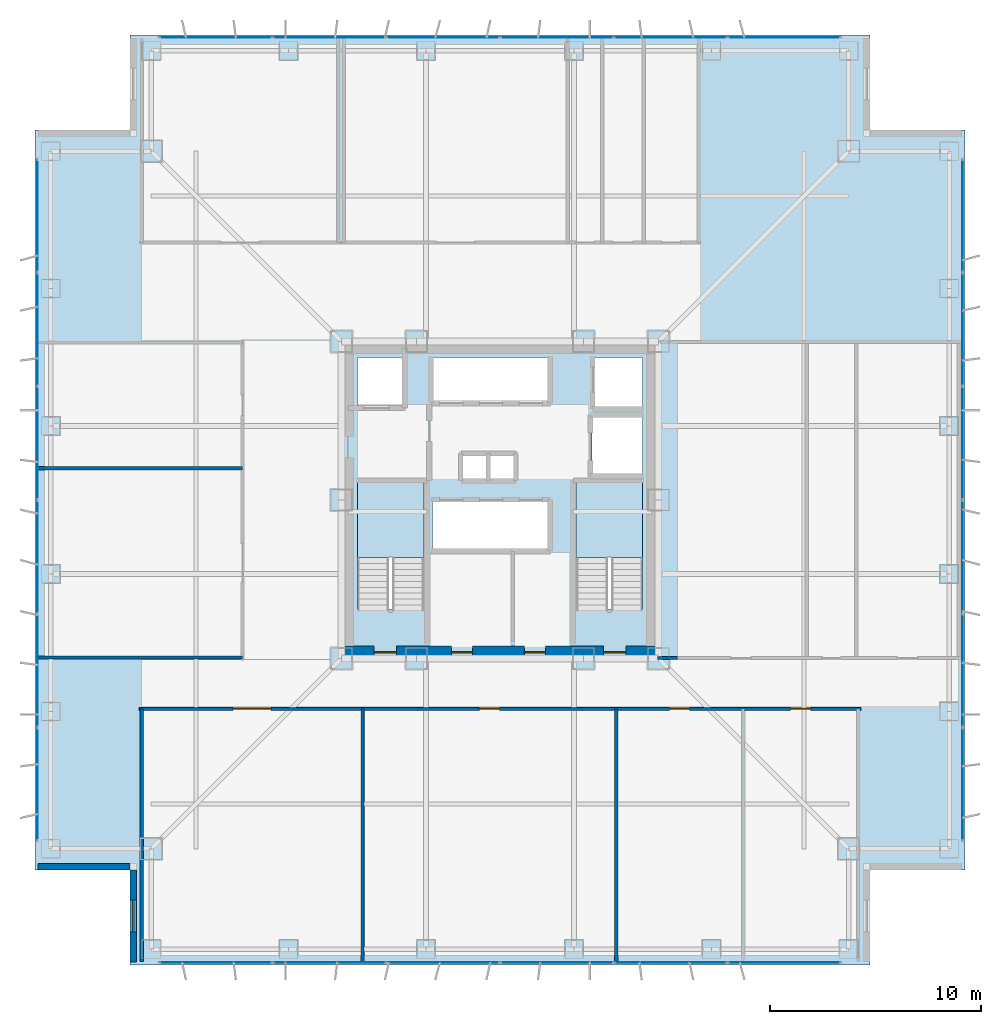
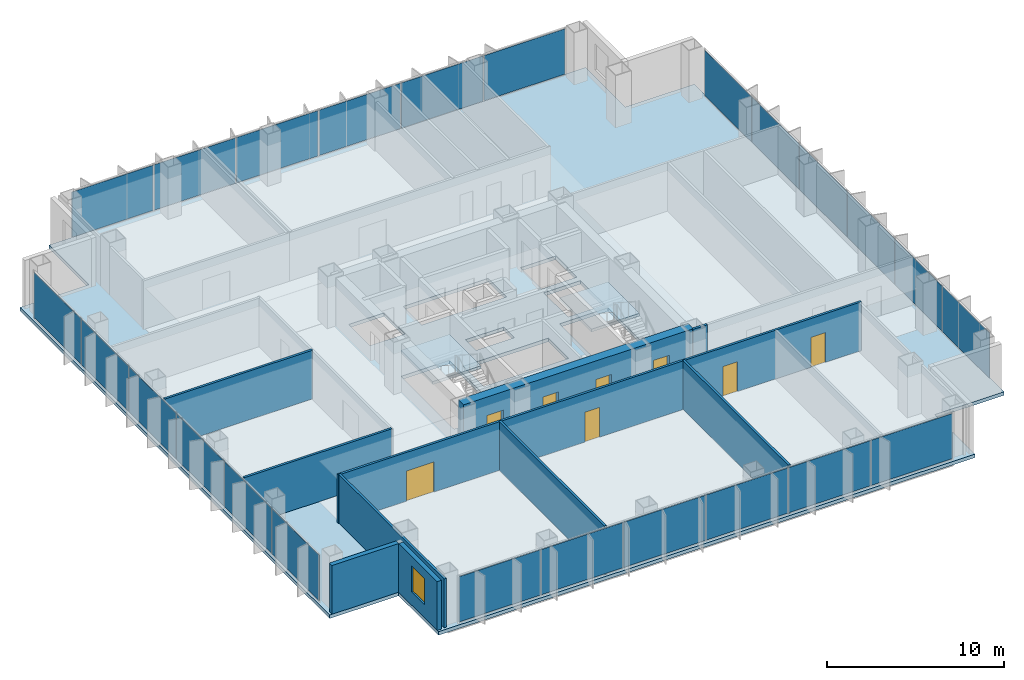
# One storey, part 12 of 17: 24 plates, 10 walls, 8 doors, 3 slabs, 1 window, 9 openings, 6 elements without a shape of their own.
"""IFC4 building model written with IfcOpenShell, lengths in metres."""

from ifc_helpers import new_model, si_unit, direction, frame, frame_2d, origin, origin_2d, place, context, subcontext, project, spatial, polyline, rectangle, outline, extrude, material, layer, layer_set, type_object, element, fill, aggregate, save


model = new_model("IFC4")

# Units and contexts
model_context = context("Model", 3, precision=1e-05, world=origin(), true_north=direction((0.0, 1.0)))
body_context = subcontext(model_context, "Body", "Model", "MODEL_VIEW")
ifc_project = project(units=[si_unit("LENGTHUNIT", "METRE"), si_unit("AREAUNIT", "SQUARE_METRE"), si_unit("VOLUMEUNIT", "CUBIC_METRE"), si_unit("PLANEANGLEUNIT", "RADIAN"), si_unit("MASSUNIT", "GRAM", prefix="KILO")], contexts=[model_context])

# Site, building, storey
site_placement = place(None, origin())
site = spatial("IfcSite", under=ifc_project, at=site_placement, CompositionType="ELEMENT")
building_placement = place(site_placement, origin())
building = spatial("IfcBuilding", under=site, at=building_placement, Name="Trevonay Congress Spire", CompositionType="ELEMENT")
storey_placement = place(building_placement, frame((0.0, 0.0, 126.39990234375)))
storey = spatial("IfcBuildingStorey", under=building, at=storey_placement, Name="L32", CompositionType="ELEMENT", Elevation=126.39990234375)

# Curtain wall, plates
ifc_material_1 = material(Name="Pale Anodised Aluminium EN AW-6063-T6", Category="aluminium")
ifc_layer_1 = layer(ifc_material_1, 0.175048828125, Name="Pale Anodised Aluminium EN AW-6063-T6")
ifc_layer_set_1 = layer_set([ifc_layer_1], Name="Pale Anodised Aluminium EN AW-6063-T6")
curtain_wall_type = type_object("IfcCurtainWallType", Name="CW-SYS03-CONGRESS-PALE-METAL", PredefinedType="NOTDEFINED", material=ifc_layer_set_1)
curtain_wall_1_placement = place(storey_placement, origin())
curtain_wall_1 = element("IfcCurtainWall", 1, at=curtain_wall_1_placement, inside=storey, type_object=curtain_wall_type, Name="L32 S unitised curtain wall", PredefinedType="NOTDEFINED")
ifc_material_2 = material(Name="Insulated Low-E Vision Glass IGU", Category="glass")
ifc_layer_2 = layer(ifc_material_2, 0.035888671875, Name="Insulated Low-E Vision Glass IGU")
ifc_layer_set_2 = layer_set([ifc_layer_2], Name="Insulated Low-E Vision Glass IGU")
plate_type = type_object("IfcPlateType", Name="CW-PANEL-IGU36-SILVER", PredefinedType="CURTAIN_PANEL", material=ifc_layer_set_2)
plate_1_placement = place(storey_placement, frame((-13.443359375, -21.8798828125, 0.1201171875), z_axis=(0.0, 0.0, 1.0), x_axis=(1.0, 0.0, 0.0)))
plate_1 = element("IfcPlate", 2, at=plate_1_placement, type_object=plate_type, Name="CW03 panel 1.1", PredefinedType="CURTAIN_PANEL", context=body_context, shape_type="SweptSolid", body=[
    extrude(rectangle(XDim=5.293212890625, YDim=0.035888671875, at=origin_2d()), origin(), (0.0, 0.0, 1.0), 3.1201171875),
])
plate_2_placement = place(storey_placement, frame((-8.074951171875, -21.8798828125, 0.1201171875), z_axis=(0.0, 0.0, 1.0), x_axis=(1.0, 0.0, 0.0)))
plate_2 = element("IfcPlate", 3, at=plate_2_placement, type_object=plate_type, Name="CW03 panel 2.1", PredefinedType="CURTAIN_PANEL", context=body_context, shape_type="SweptSolid", body=[
    extrude(rectangle(XDim=5.3232421875, YDim=0.035888671875, at=origin_2d()), origin(), (0.0, 0.0, 1.0), 3.1201171875),
])
plate_3_placement = place(storey_placement, frame((-2.691650390625, -21.8798828125, 0.1201171875), z_axis=(0.0, 0.0, 1.0), x_axis=(1.0, 0.0, 0.0)))
plate_3 = element("IfcPlate", 4, at=plate_3_placement, type_object=plate_type, Name="CW03 panel 3.1", PredefinedType="CURTAIN_PANEL", context=body_context, shape_type="SweptSolid", body=[
    extrude(rectangle(XDim=5.3232421875, YDim=0.035888671875, at=origin_2d()), origin(), (0.0, 0.0, 1.0), 3.1201171875),
])
plate_4_placement = place(storey_placement, frame((2.691650390625, -21.8798828125, 0.1201171875), z_axis=(0.0, 0.0, 1.0), x_axis=(1.0, 0.0, 0.0)))
plate_4 = element("IfcPlate", 5, at=plate_4_placement, type_object=plate_type, Name="CW03 panel 4.1", PredefinedType="CURTAIN_PANEL", context=body_context, shape_type="SweptSolid", body=[
    extrude(rectangle(XDim=5.3232421875, YDim=0.035888671875, at=origin_2d()), origin(), (0.0, 0.0, 1.0), 3.1201171875),
])
plate_5_placement = place(storey_placement, frame((8.074951171875, -21.8798828125, 0.1201171875), z_axis=(0.0, 0.0, 1.0), x_axis=(1.0, 0.0, 0.0)))
plate_5 = element("IfcPlate", 6, at=plate_5_placement, type_object=plate_type, Name="CW03 panel 5.1", PredefinedType="CURTAIN_PANEL", context=body_context, shape_type="SweptSolid", body=[
    extrude(rectangle(XDim=5.3232421875, YDim=0.035888671875, at=origin_2d()), origin(), (0.0, 0.0, 1.0), 3.1201171875),
])
plate_6_placement = place(storey_placement, frame((13.443359375, -21.8798828125, 0.1201171875), z_axis=(0.0, 0.0, 1.0), x_axis=(1.0, 0.0, 0.0)))
plate_6 = element("IfcPlate", 7, at=plate_6_placement, type_object=plate_type, Name="CW03 panel 6.1", PredefinedType="CURTAIN_PANEL", context=body_context, shape_type="SweptSolid", body=[
    extrude(rectangle(XDim=5.293212890625, YDim=0.035888671875, at=origin_2d()), origin(), (0.0, 0.0, 1.0), 3.1201171875),
])
aggregate(curtain_wall_1, [plate_1, plate_2, plate_3, plate_4, plate_5, plate_6])

curtain_wall_2_placement = place(storey_placement, origin())
curtain_wall_2 = element("IfcCurtainWall", 8, at=curtain_wall_2_placement, inside=storey, type_object=curtain_wall_type, Name="L32 N unitised curtain wall", PredefinedType="NOTDEFINED")
plate_7_placement = place(storey_placement, frame((-13.443359375, 21.8798828125, 0.1201171875), z_axis=(0.0, 0.0, 1.0), x_axis=(1.0, 0.0, 0.0)))
plate_7 = element("IfcPlate", 9, at=plate_7_placement, type_object=plate_type, Name="CW03 panel 1.1", PredefinedType="CURTAIN_PANEL", context=body_context, shape_type="SweptSolid", body=[
    extrude(rectangle(XDim=5.293212890625, YDim=0.035888671875, at=origin_2d()), origin(), (0.0, 0.0, 1.0), 3.1201171875),
])
plate_8_placement = place(storey_placement, frame((-8.074951171875, 21.8798828125, 0.1201171875), z_axis=(0.0, 0.0, 1.0), x_axis=(1.0, 0.0, 0.0)))
plate_8 = element("IfcPlate", 10, at=plate_8_placement, type_object=plate_type, Name="CW03 panel 2.1", PredefinedType="CURTAIN_PANEL", context=body_context, shape_type="SweptSolid", body=[
    extrude(rectangle(XDim=5.3232421875, YDim=0.035888671875, at=origin_2d()), origin(), (0.0, 0.0, 1.0), 3.1201171875),
])
plate_9_placement = place(storey_placement, frame((-2.691650390625, 21.8798828125, 0.1201171875), z_axis=(0.0, 0.0, 1.0), x_axis=(1.0, 0.0, 0.0)))
plate_9 = element("IfcPlate", 11, at=plate_9_placement, type_object=plate_type, Name="CW03 panel 3.1", PredefinedType="CURTAIN_PANEL", context=body_context, shape_type="SweptSolid", body=[
    extrude(rectangle(XDim=5.3232421875, YDim=0.035888671875, at=origin_2d()), origin(), (0.0, 0.0, 1.0), 3.1201171875),
])
plate_10_placement = place(storey_placement, frame((2.691650390625, 21.8798828125, 0.1201171875), z_axis=(0.0, 0.0, 1.0), x_axis=(1.0, 0.0, 0.0)))
plate_10 = element("IfcPlate", 12, at=plate_10_placement, type_object=plate_type, Name="CW03 panel 4.1", PredefinedType="CURTAIN_PANEL", context=body_context, shape_type="SweptSolid", body=[
    extrude(rectangle(XDim=5.3232421875, YDim=0.035888671875, at=origin_2d()), origin(), (0.0, 0.0, 1.0), 3.1201171875),
])
plate_11_placement = place(storey_placement, frame((8.074951171875, 21.8798828125, 0.1201171875), z_axis=(0.0, 0.0, 1.0), x_axis=(1.0, 0.0, 0.0)))
plate_11 = element("IfcPlate", 13, at=plate_11_placement, type_object=plate_type, Name="CW03 panel 5.1", PredefinedType="CURTAIN_PANEL", context=body_context, shape_type="SweptSolid", body=[
    extrude(rectangle(XDim=5.3232421875, YDim=0.035888671875, at=origin_2d()), origin(), (0.0, 0.0, 1.0), 3.1201171875),
])
plate_12_placement = place(storey_placement, frame((13.443359375, 21.8798828125, 0.1201171875), z_axis=(0.0, 0.0, 1.0), x_axis=(1.0, 0.0, 0.0)))
plate_12 = element("IfcPlate", 14, at=plate_12_placement, type_object=plate_type, Name="CW03 panel 6.1", PredefinedType="CURTAIN_PANEL", context=body_context, shape_type="SweptSolid", body=[
    extrude(rectangle(XDim=5.293212890625, YDim=0.035888671875, at=origin_2d()), origin(), (0.0, 0.0, 1.0), 3.1201171875),
])
aggregate(curtain_wall_2, [plate_7, plate_8, plate_9, plate_10, plate_11, plate_12])

curtain_wall_3_placement = place(storey_placement, origin())
curtain_wall_3 = element("IfcCurtainWall", 15, at=curtain_wall_3_placement, inside=storey, type_object=curtain_wall_type, Name="L32 W unitised curtain wall", PredefinedType="NOTDEFINED")
plate_13_placement = place(storey_placement, frame((-21.8798828125, -13.443359375, 0.1201171875), z_axis=(0.0, 0.0, 1.0), x_axis=(0.0, 1.0, 0.0)))
plate_13 = element("IfcPlate", 16, at=plate_13_placement, type_object=plate_type, Name="CW03 panel 1.1", PredefinedType="CURTAIN_PANEL", context=body_context, shape_type="SweptSolid", body=[
    extrude(rectangle(XDim=5.293212890625, YDim=0.035888671875, at=origin_2d()), origin(), (0.0, 0.0, 1.0), 3.1201171875),
])
plate_14_placement = place(storey_placement, frame((-21.8798828125, -8.074951171875, 0.1201171875), z_axis=(0.0, 0.0, 1.0), x_axis=(0.0, 1.0, 0.0)))
plate_14 = element("IfcPlate", 17, at=plate_14_placement, type_object=plate_type, Name="CW03 panel 2.1", PredefinedType="CURTAIN_PANEL", context=body_context, shape_type="SweptSolid", body=[
    extrude(rectangle(XDim=5.3232421875, YDim=0.035888671875, at=origin_2d()), origin(), (0.0, 0.0, 1.0), 3.1201171875),
])
plate_15_placement = place(storey_placement, frame((-21.8798828125, -2.691650390625, 0.1201171875), z_axis=(0.0, 0.0, 1.0), x_axis=(0.0, 1.0, 0.0)))
plate_15 = element("IfcPlate", 18, at=plate_15_placement, type_object=plate_type, Name="CW03 panel 3.1", PredefinedType="CURTAIN_PANEL", context=body_context, shape_type="SweptSolid", body=[
    extrude(rectangle(XDim=5.3232421875, YDim=0.035888671875, at=origin_2d()), origin(), (0.0, 0.0, 1.0), 3.1201171875),
])
plate_16_placement = place(storey_placement, frame((-21.8798828125, 2.691650390625, 0.1201171875), z_axis=(0.0, 0.0, 1.0), x_axis=(0.0, 1.0, 0.0)))
plate_16 = element("IfcPlate", 19, at=plate_16_placement, type_object=plate_type, Name="CW03 panel 4.1", PredefinedType="CURTAIN_PANEL", context=body_context, shape_type="SweptSolid", body=[
    extrude(rectangle(XDim=5.3232421875, YDim=0.035888671875, at=origin_2d()), origin(), (0.0, 0.0, 1.0), 3.1201171875),
])
plate_17_placement = place(storey_placement, frame((-21.8798828125, 8.074951171875, 0.1201171875), z_axis=(0.0, 0.0, 1.0), x_axis=(0.0, 1.0, 0.0)))
plate_17 = element("IfcPlate", 20, at=plate_17_placement, type_object=plate_type, Name="CW03 panel 5.1", PredefinedType="CURTAIN_PANEL", context=body_context, shape_type="SweptSolid", body=[
    extrude(rectangle(XDim=5.3232421875, YDim=0.035888671875, at=origin_2d()), origin(), (0.0, 0.0, 1.0), 3.1201171875),
])
plate_18_placement = place(storey_placement, frame((-21.8798828125, 13.443359375, 0.1201171875), z_axis=(0.0, 0.0, 1.0), x_axis=(0.0, 1.0, 0.0)))
plate_18 = element("IfcPlate", 21, at=plate_18_placement, type_object=plate_type, Name="CW03 panel 6.1", PredefinedType="CURTAIN_PANEL", context=body_context, shape_type="SweptSolid", body=[
    extrude(rectangle(XDim=5.293212890625, YDim=0.035888671875, at=origin_2d()), origin(), (0.0, 0.0, 1.0), 3.1201171875),
])
aggregate(curtain_wall_3, [plate_13, plate_14, plate_15, plate_16, plate_17, plate_18])

curtain_wall_4_placement = place(storey_placement, origin())
curtain_wall_4 = element("IfcCurtainWall", 22, at=curtain_wall_4_placement, inside=storey, type_object=curtain_wall_type, Name="L32 E unitised curtain wall", PredefinedType="NOTDEFINED")
plate_19_placement = place(storey_placement, frame((21.8798828125, -13.443359375, 0.1201171875), z_axis=(0.0, 0.0, 1.0), x_axis=(0.0, 1.0, 0.0)))
plate_19 = element("IfcPlate", 23, at=plate_19_placement, type_object=plate_type, Name="CW03 panel 1.1", PredefinedType="CURTAIN_PANEL", context=body_context, shape_type="SweptSolid", body=[
    extrude(rectangle(XDim=5.293212890625, YDim=0.035888671875, at=origin_2d()), origin(), (0.0, 0.0, 1.0), 3.1201171875),
])
plate_20_placement = place(storey_placement, frame((21.8798828125, -8.074951171875, 0.1201171875), z_axis=(0.0, 0.0, 1.0), x_axis=(0.0, 1.0, 0.0)))
plate_20 = element("IfcPlate", 24, at=plate_20_placement, type_object=plate_type, Name="CW03 panel 2.1", PredefinedType="CURTAIN_PANEL", context=body_context, shape_type="SweptSolid", body=[
    extrude(rectangle(XDim=5.3232421875, YDim=0.035888671875, at=origin_2d()), origin(), (0.0, 0.0, 1.0), 3.1201171875),
])
plate_21_placement = place(storey_placement, frame((21.8798828125, -2.691650390625, 0.1201171875), z_axis=(0.0, 0.0, 1.0), x_axis=(0.0, 1.0, 0.0)))
plate_21 = element("IfcPlate", 25, at=plate_21_placement, type_object=plate_type, Name="CW03 panel 3.1", PredefinedType="CURTAIN_PANEL", context=body_context, shape_type="SweptSolid", body=[
    extrude(rectangle(XDim=5.3232421875, YDim=0.035888671875, at=origin_2d()), origin(), (0.0, 0.0, 1.0), 3.1201171875),
])
plate_22_placement = place(storey_placement, frame((21.8798828125, 2.691650390625, 0.1201171875), z_axis=(0.0, 0.0, 1.0), x_axis=(0.0, 1.0, 0.0)))
plate_22 = element("IfcPlate", 26, at=plate_22_placement, type_object=plate_type, Name="CW03 panel 4.1", PredefinedType="CURTAIN_PANEL", context=body_context, shape_type="SweptSolid", body=[
    extrude(rectangle(XDim=5.3232421875, YDim=0.035888671875, at=origin_2d()), origin(), (0.0, 0.0, 1.0), 3.1201171875),
])
plate_23_placement = place(storey_placement, frame((21.8798828125, 8.074951171875, 0.1201171875), z_axis=(0.0, 0.0, 1.0), x_axis=(0.0, 1.0, 0.0)))
plate_23 = element("IfcPlate", 27, at=plate_23_placement, type_object=plate_type, Name="CW03 panel 5.1", PredefinedType="CURTAIN_PANEL", context=body_context, shape_type="SweptSolid", body=[
    extrude(rectangle(XDim=5.3232421875, YDim=0.035888671875, at=origin_2d()), origin(), (0.0, 0.0, 1.0), 3.1201171875),
])
plate_24_placement = place(storey_placement, frame((21.8798828125, 13.443359375, 0.1201171875), z_axis=(0.0, 0.0, 1.0), x_axis=(0.0, 1.0, 0.0)))
plate_24 = element("IfcPlate", 28, at=plate_24_placement, type_object=plate_type, Name="CW03 panel 6.1", PredefinedType="CURTAIN_PANEL", context=body_context, shape_type="SweptSolid", body=[
    extrude(rectangle(XDim=5.293212890625, YDim=0.035888671875, at=origin_2d()), origin(), (0.0, 0.0, 1.0), 3.1201171875),
])
aggregate(curtain_wall_4, [plate_19, plate_20, plate_21, plate_22, plate_23, plate_24])

# Stair, slab
ifc_material_3 = material(Name="Concrete C40/50", Category="concrete")
stair_type_1 = type_object("IfcStairType", Name="STR-ST-1", PredefinedType="HALF_TURN_STAIR", material=ifc_material_3)
stair_1_placement = place(storey_placement, origin())
stair_1 = element("IfcStair", 29, at=stair_1_placement, inside=storey, type_object=stair_type_1, Name="L32 Protected Exit Stair ST-1", PredefinedType="HALF_TURN_STAIR")
ifc_layer_3 = layer(ifc_material_3, 0.199951171875, Name="Concrete C40/50")
ifc_layer_set_3 = layer_set([ifc_layer_3], Name="Concrete C40/50")
slab_type_1 = type_object("IfcSlabType", Name="SLB-STAIR-LAND-200", PredefinedType="LANDING", material=ifc_layer_set_3)
slab_1_placement = place(storey_placement, frame((0.0, 0.0, 1.60009765625)))
slab_1 = element("IfcSlab", 30, at=slab_1_placement, type_object=slab_type_1, Name="ST-1 landing 1", PredefinedType="LANDING", context=body_context, shape_type="SweptSolid", body=[
    extrude(outline(polyline([(-3.60009765625, -2.72998046875), (-3.60009765625, 0.85009765625), (-6.75, 0.85009765625), (-6.75, -2.72998046875), (-3.60009765625, -2.72998046875)])), origin(), (0.0, 0.0, 1.0), 0.199951171875),
])
aggregate(stair_1, [slab_1])

stair_type_2 = type_object("IfcStairType", Name="STR-ST-2", PredefinedType="HALF_TURN_STAIR", material=ifc_material_3)
stair_2_placement = place(storey_placement, origin())
stair_2 = element("IfcStair", 31, at=stair_2_placement, inside=storey, type_object=stair_type_2, Name="L32 Protected Exit Stair ST-2", PredefinedType="HALF_TURN_STAIR")
slab_2_placement = place(storey_placement, frame((0.0, 0.0, 1.60009765625)))
slab_2 = element("IfcSlab", 32, at=slab_2_placement, type_object=slab_type_1, Name="ST-2 landing 1", PredefinedType="LANDING", context=body_context, shape_type="SweptSolid", body=[
    extrude(outline(polyline([(6.75, -2.72998046875), (6.75, 0.85009765625), (3.60009765625, 0.85009765625), (3.60009765625, -2.72998046875), (6.75, -2.72998046875)])), origin(), (0.0, 0.0, 1.0), 0.199951171875),
])
aggregate(stair_2, [slab_2])

# Slab
ifc_layer_4 = layer(ifc_material_3, 0.239990234375, Name="Concrete C40/50")
ifc_layer_set_4 = layer_set([ifc_layer_4], Name="Concrete C40/50")
slab_type_2 = type_object("IfcSlabType", Name="SLB-TOW2-240", PredefinedType="FLOOR", material=ifc_layer_set_4)
slab_3_placement = place(storey_placement, frame((0.0, 0.0, -0.239990234375)))
element("IfcSlab", 33, at=slab_3_placement, inside=storey, type_object=slab_type_2, Name="L32 structural floor slab", PredefinedType="FLOOR", context=body_context, shape_type="SweptSolid", body=[
    extrude(outline(polyline([(-17.5, -22.0), (17.5, -22.0), (17.5, -17.5), (22.0, -17.5), (22.0, 17.5), (17.5, 17.5), (17.5, 22.0), (-17.5, 22.0), (-17.5, 17.5), (-22.0, 17.5), (-22.0, -17.5), (-17.5, -17.5), (-17.5, -22.0)]), holes=[polyline([(-3.60009765625, -5.14990234375), (-3.60009765625, 0.85009765625), (-6.75, 0.85009765625), (-6.75, -5.14990234375), (-3.60009765625, -5.14990234375)]), polyline([(6.75, -5.14990234375), (6.75, 0.85009765625), (3.60009765625, 0.85009765625), (3.60009765625, -5.14990234375), (6.75, -5.14990234375)]), polyline([(-3.199951171875, -2.35009765625), (2.340087890625, -2.35009765625), (2.340087890625, -0.050048828125), (-3.199951171875, -0.050048828125), (-3.199951171875, -2.35009765625)]), polyline([(-3.199951171875, 4.64990234375), (2.340087890625, 4.64990234375), (2.340087890625, 6.75), (-3.199951171875, 6.75), (-3.199951171875, 4.64990234375)]), polyline([(-6.75, 4.35009765625), (-4.449951171875, 4.35009765625), (-4.449951171875, 6.75), (-6.75, 6.75), (-6.75, 4.35009765625)]), polyline([(4.449951171875, 4.35009765625), (6.75, 4.35009765625), (6.75, 6.75), (4.449951171875, 6.75), (4.449951171875, 4.35009765625)]), polyline([(4.35009765625, 1.199951171875), (6.75, 1.199951171875), (6.75, 3.949951171875), (4.35009765625, 3.949951171875), (4.35009765625, 1.199951171875)]), polyline([(-1.800048828125, 0.949951171875), (0.699951171875, 0.949951171875), (0.699951171875, 2.14990234375), (-1.800048828125, 2.14990234375), (-1.800048828125, 0.949951171875)])]), origin(), (0.0, 0.0, 1.0), 0.239990234375),
])

# Wall, openings, doors
ifc_material_4 = material(Name="Concrete C60/75", Category="concrete")
ifc_layer_5 = layer(ifc_material_4, 0.60009765625, Name="Concrete C60/75")
ifc_layer_set_5 = layer_set([ifc_layer_5], Name="Concrete C60/75")
wall_type_1 = type_object("IfcWallType", Name="WAL-CORE-600", PredefinedType="SHEAR", material=ifc_layer_set_5)
wall_1_placement = place(storey_placement, frame((-7.5, -7.199951171875, 0.0), z_axis=(0.0, 0.0, 1.0), x_axis=(1.0, 0.0, 0.0)))
wall_1 = element("IfcWall", 34, at=wall_1_placement, inside=storey, type_object=wall_type_1, Name="L32 South structural core shear wall", PredefinedType="SHEAR", context=body_context, shape_type="SweptSolid", body=[
    extrude(rectangle(XDim=15.0, YDim=0.60009765625, at=frame_2d((7.5, 0.0))), origin(), (0.0, 0.0, 1.0), 3.360107421875),
])
opening_1_placement = place(wall_1_placement, frame((1.550048828125, 0.0, 0.0)))
opening_1 = element("IfcOpeningElement", 35, at=opening_1_placement, cuts=wall_1, Name="Opening D05", PredefinedType="OPENING", context=body_context, shape_type="SweptSolid", body=[
    extrude(rectangle(XDim=1.050048828125, YDim=2.080078125, at=frame_2d((0.52490234375, 1.0400390625))), frame((0.0, 0.31005859375, 0.0), z_axis=(0.0, -1.0, 0.0), x_axis=(1.0, 0.0, 0.0)), (0.0, 0.0, 1.0), 0.6201171875),
])
opening_2_placement = place(wall_1_placement, frame((12.39990234375, 0.0, 0.0)))
opening_2 = element("IfcOpeningElement", 36, at=opening_2_placement, cuts=wall_1, Name="Opening D05", PredefinedType="OPENING", context=body_context, shape_type="SweptSolid", body=[
    extrude(rectangle(XDim=1.050048828125, YDim=2.080078125, at=frame_2d((0.52490234375, 1.0400390625))), frame((0.0, 0.31005859375, 0.0), z_axis=(0.0, -1.0, 0.0), x_axis=(1.0, 0.0, 0.0)), (0.0, 0.0, 1.0), 0.6201171875),
])
opening_3_placement = place(wall_1_placement, frame((5.199951171875, 0.0, 0.0)))
opening_3 = element("IfcOpeningElement", 37, at=opening_3_placement, cuts=wall_1, Name="Opening D06", PredefinedType="OPENING", context=body_context, shape_type="SweptSolid", body=[
    extrude(rectangle(XDim=1.0, YDim=2.080078125, at=frame_2d((0.5, 1.0400390625))), frame((0.0, 0.31005859375, 0.0), z_axis=(0.0, -1.0, 0.0), x_axis=(1.0, 0.0, 0.0)), (0.0, 0.0, 1.0), 0.6201171875),
])
opening_4_placement = place(wall_1_placement, frame((8.64990234375, 0.0, 0.0)))
opening_4 = element("IfcOpeningElement", 38, at=opening_4_placement, cuts=wall_1, Name="Opening D06", PredefinedType="OPENING", context=body_context, shape_type="SweptSolid", body=[
    extrude(rectangle(XDim=1.0, YDim=2.080078125, at=frame_2d((0.5, 1.0400390625))), frame((0.0, 0.31005859375, 0.0), z_axis=(0.0, -1.0, 0.0), x_axis=(1.0, 0.0, 0.0)), (0.0, 0.0, 1.0), 0.6201171875),
])
ifc_material_5 = material(Name="Steel ASTM A572 Grade 50", Category="steel")
door_type_1 = type_object("IfcDoorType", Name="DOR-FIRE-100", OperationType="NOTDEFINED", PredefinedType="DOOR", material=ifc_material_5)
door_1_placement = place(opening_3_placement, origin())
door_1 = element("IfcDoor", 39, at=door_1_placement, inside=storey, type_object=door_type_1, Name="L32 South Core Room 1 Door", OperationType="SINGLE_SWING_RIGHT", OverallHeight=2.080078125, OverallWidth=1.0, PredefinedType="DOOR", context=body_context, shape_type="SweptSolid", body=[
    extrude(rectangle(XDim=1.0, YDim=2.080078125, at=frame_2d((0.5, 1.0400390625))), frame((0.0, 0.02490234375, 0.0), z_axis=(0.0, -1.0, 0.0), x_axis=(1.0, 0.0, 0.0)), (0.0, 0.0, 1.0), 0.050048828125),
])
fill(opening_3, door_1)
door_2_placement = place(opening_4_placement, origin())
door_2 = element("IfcDoor", 40, at=door_2_placement, inside=storey, type_object=door_type_1, Name="L32 South Core Room 2 Door", OperationType="SINGLE_SWING_LEFT", OverallHeight=2.080078125, OverallWidth=1.0, PredefinedType="DOOR", context=body_context, shape_type="SweptSolid", body=[
    extrude(rectangle(XDim=1.0, YDim=2.080078125, at=frame_2d((0.5, 1.0400390625))), frame((0.0, 0.02490234375, 0.0), z_axis=(0.0, -1.0, 0.0), x_axis=(1.0, 0.0, 0.0)), (0.0, 0.0, 1.0), 0.050048828125),
])
fill(opening_4, door_2)
door_type_2 = type_object("IfcDoorType", Name="DOR-STAIR-110", OperationType="NOTDEFINED", PredefinedType="DOOR", material=ifc_material_5)
door_3_placement = place(opening_1_placement, origin())
door_3 = element("IfcDoor", 41, at=door_3_placement, inside=storey, type_object=door_type_2, Name="L32 Protected Stair ST-1 Door", OperationType="SINGLE_SWING_LEFT", OverallHeight=2.080078125, OverallWidth=1.050048828125, PredefinedType="DOOR", context=body_context, shape_type="SweptSolid", body=[
    extrude(rectangle(XDim=1.050048828125, YDim=2.080078125, at=frame_2d((0.52490234375, 1.0400390625))), frame((0.0, 0.02490234375, 0.0), z_axis=(0.0, -1.0, 0.0), x_axis=(1.0, 0.0, 0.0)), (0.0, 0.0, 1.0), 0.050048828125),
])
fill(opening_1, door_3)
door_4_placement = place(opening_2_placement, origin())
door_4 = element("IfcDoor", 42, at=door_4_placement, inside=storey, type_object=door_type_2, Name="L32 Protected Stair ST-2 Door", OperationType="SINGLE_SWING_RIGHT", OverallHeight=2.080078125, OverallWidth=1.050048828125, PredefinedType="DOOR", context=body_context, shape_type="SweptSolid", body=[
    extrude(rectangle(XDim=1.050048828125, YDim=2.080078125, at=frame_2d((0.52490234375, 1.0400390625))), frame((0.0, 0.02490234375, 0.0), z_axis=(0.0, -1.0, 0.0), x_axis=(1.0, 0.0, 0.0)), (0.0, 0.0, 1.0), 0.050048828125),
])
fill(opening_2, door_4)

ifc_layer_6 = layer(ifc_material_3, 0.14990234375, Name="Concrete C40/50")
ifc_layer_set_6 = layer_set([ifc_layer_6], Name="Concrete C40/50")
wall_type_2 = type_object("IfcWallType", Name="WAL-CORR-150", PredefinedType="PARTITIONING", material=ifc_layer_set_6)
wall_2_placement = place(storey_placement, frame((-17.070068359375, -9.8798828125, 0.0), z_axis=(0.0, 0.0, 1.0), x_axis=(1.0, 0.0, 0.0)))
wall_2 = element("IfcWall", 43, at=wall_2_placement, inside=storey, type_object=wall_type_2, Name="L32 interior wall WP-L32S-COR", PredefinedType="PARTITIONING", context=body_context, shape_type="SweptSolid", body=[
    extrude(rectangle(XDim=34.14013671875, YDim=0.14990234375, at=frame_2d((17.070068359375, 0.0))), origin(), (0.0, 0.0, 1.0), 3.360107421875),
])
opening_5_placement = place(wall_2_placement, frame((4.445068359375, 0.0, 0.0)))
opening_5 = element("IfcOpeningElement", 44, at=opening_5_placement, cuts=wall_2, Name="Opening D09", PredefinedType="OPENING", context=body_context, shape_type="SweptSolid", body=[
    extrude(rectangle(XDim=1.800048828125, YDim=2.080078125, at=frame_2d((0.89990234375, 1.0400390625))), frame((0.0, 0.0849609375, 0.0), z_axis=(0.0, -1.0, 0.0), x_axis=(1.0, 0.0, 0.0)), (0.0, 0.0, 1.0), 0.169921875),
])
opening_6_placement = place(wall_2_placement, frame((16.094970703125, 0.0, 0.0)))
opening_6 = element("IfcOpeningElement", 45, at=opening_6_placement, cuts=wall_2, Name="Opening D07", PredefinedType="OPENING", context=body_context, shape_type="SweptSolid", body=[
    extrude(rectangle(XDim=0.949951171875, YDim=2.06005859375, at=frame_2d((0.47509765625, 1.030029296875))), frame((0.0, 0.0849609375, 0.0), z_axis=(0.0, -1.0, 0.0), x_axis=(1.0, 0.0, 0.0)), (0.0, 0.0, 1.0), 0.169921875),
])
opening_7_placement = place(wall_2_placement, frame((25.094970703125, 0.0, 0.0)))
opening_7 = element("IfcOpeningElement", 46, at=opening_7_placement, cuts=wall_2, Name="Opening D07", PredefinedType="OPENING", context=body_context, shape_type="SweptSolid", body=[
    extrude(rectangle(XDim=0.949951171875, YDim=2.06005859375, at=frame_2d((0.47509765625, 1.030029296875))), frame((0.0, 0.0849609375, 0.0), z_axis=(0.0, -1.0, 0.0), x_axis=(1.0, 0.0, 0.0)), (0.0, 0.0, 1.0), 0.169921875),
])
opening_8_placement = place(wall_2_placement, frame((30.820068359375, 0.0, 0.0)))
opening_8 = element("IfcOpeningElement", 47, at=opening_8_placement, cuts=wall_2, Name="Opening D07", PredefinedType="OPENING", context=body_context, shape_type="SweptSolid", body=[
    extrude(rectangle(XDim=0.949951171875, YDim=2.06005859375, at=frame_2d((0.47509765625, 1.030029296875))), frame((0.0, 0.0849609375, 0.0), z_axis=(0.0, -1.0, 0.0), x_axis=(1.0, 0.0, 0.0)), (0.0, 0.0, 1.0), 0.169921875),
])
door_type_3 = type_object("IfcDoorType", Name="DOR-CONF-DBL", OperationType="DOUBLE_DOOR_SINGLE_SWING", PredefinedType="DOOR", material=ifc_material_1)
door_5_placement = place(opening_5_placement, origin())
door_5 = element("IfcDoor", 48, at=door_5_placement, inside=storey, type_object=door_type_3, Name="L32 Delegates Dining Restaurant West Door", OperationType="DOUBLE_DOOR_SINGLE_SWING", OverallHeight=2.080078125, OverallWidth=1.800048828125, PredefinedType="DOOR", context=body_context, shape_type="SweptSolid", body=[
    extrude(rectangle(XDim=1.800048828125, YDim=2.080078125, at=frame_2d((0.89990234375, 1.0400390625))), frame((0.0, 0.02490234375, 0.0), z_axis=(0.0, -1.0, 0.0), x_axis=(1.0, 0.0, 0.0)), (0.0, 0.0, 1.0), 0.050048828125),
])
fill(opening_5, door_5)
door_type_4 = type_object("IfcDoorType", Name="DOR-OFFICE-95", OperationType="NOTDEFINED", PredefinedType="DOOR", material=ifc_material_1)
door_6_placement = place(opening_6_placement, origin())
door_6 = element("IfcDoor", 49, at=door_6_placement, inside=storey, type_object=door_type_4, Name="L32 Culinary Archive Office Door", OperationType="SINGLE_SWING_LEFT", OverallHeight=2.06005859375, OverallWidth=0.949951171875, PredefinedType="DOOR", context=body_context, shape_type="SweptSolid", body=[
    extrude(rectangle(XDim=0.949951171875, YDim=2.06005859375, at=frame_2d((0.47509765625, 1.030029296875))), frame((0.0, 0.02490234375, 0.0), z_axis=(0.0, -1.0, 0.0), x_axis=(1.0, 0.0, 0.0)), (0.0, 0.0, 1.0), 0.050048828125),
])
fill(opening_6, door_6)
door_7_placement = place(opening_7_placement, origin())
door_7 = element("IfcDoor", 50, at=door_7_placement, inside=storey, type_object=door_type_4, Name="L32 Main Finishing Kitchen Door", OperationType="SINGLE_SWING_RIGHT", OverallHeight=2.06005859375, OverallWidth=0.949951171875, PredefinedType="DOOR", context=body_context, shape_type="SweptSolid", body=[
    extrude(rectangle(XDim=0.949951171875, YDim=2.06005859375, at=frame_2d((0.47509765625, 1.030029296875))), frame((0.0, 0.02490234375, 0.0), z_axis=(0.0, -1.0, 0.0), x_axis=(1.0, 0.0, 0.0)), (0.0, 0.0, 1.0), 0.050048828125),
])
fill(opening_7, door_7)
door_8_placement = place(opening_8_placement, origin())
door_8 = element("IfcDoor", 51, at=door_8_placement, inside=storey, type_object=door_type_4, Name="L32 Dishwash and Pastry Pantry Door", OperationType="SINGLE_SWING_LEFT", OverallHeight=2.06005859375, OverallWidth=0.949951171875, PredefinedType="DOOR", context=body_context, shape_type="SweptSolid", body=[
    extrude(rectangle(XDim=0.949951171875, YDim=2.06005859375, at=frame_2d((0.47509765625, 1.030029296875))), frame((0.0, 0.02490234375, 0.0), z_axis=(0.0, -1.0, 0.0), x_axis=(1.0, 0.0, 0.0)), (0.0, 0.0, 1.0), 0.050048828125),
])
fill(opening_8, door_8)

# Wall
wall_3_placement = place(storey_placement, frame((7.449951171875, -7.47998046875, 0.0), z_axis=(0.0, 0.0, 1.0), x_axis=(1.0, 0.0, 0.0)))
element("IfcWall", 52, at=wall_3_placement, inside=storey, type_object=wall_type_2, Name="L32 interior wall WP-L32E-STUB", PredefinedType="PARTITIONING", context=body_context, shape_type="SweptSolid", body=[
    extrude(rectangle(XDim=0.949951171875, YDim=0.14990234375, at=frame_2d((0.47509765625, 0.0))), origin(), (0.0, 0.0, 1.0), 3.360107421875),
])

# Wall, opening, window
ifc_material_6 = material(Name="Precast concrete C40/50", Category="concrete")
ifc_layer_7 = layer(ifc_material_6, 0.300048828125, Name="Precast concrete C40/50")
ifc_layer_set_7 = layer_set([ifc_layer_7], Name="Precast concrete C40/50")
wall_type_3 = type_object("IfcWallType", Name="WAL-EXT-PRECAST-300", PredefinedType="SOLIDWALL", material=ifc_layer_set_7)
wall_4_placement = place(storey_placement, frame((-17.35009765625, -21.85009765625, 0.0), z_axis=(0.0, 0.0, 1.0), x_axis=(0.0, 1.0, 0.0)))
wall_4 = element("IfcWall", 53, at=wall_4_placement, inside=storey, type_object=wall_type_3, Name="L32 SW re-entrant notch exterior wall 1", PredefinedType="SOLIDWALL", context=body_context, shape_type="SweptSolid", body=[
    extrude(rectangle(XDim=4.35009765625, YDim=0.300048828125, at=frame_2d((2.175048828125, 0.0))), origin(), (0.0, 0.0, 1.0), 3.360107421875),
])
opening_9_placement = place(wall_4_placement, frame((1.425048828125, 0.0, 0.89990234375)))
opening_9 = element("IfcOpeningElement", 54, at=opening_9_placement, cuts=wall_4, Name="Opening WN03", PredefinedType="OPENING", context=body_context, shape_type="SweptSolid", body=[
    extrude(rectangle(XDim=1.5, YDim=1.800048828125, at=frame_2d((0.75, 0.89990234375))), frame((0.0, 0.16015625, 0.0), z_axis=(0.0, -1.0, 0.0), x_axis=(1.0, 0.0, 0.0)), (0.0, 0.0, 1.0), 0.320068359375),
])
window_type = type_object("IfcWindowType", Name="WIN-NOTCH-150X180", PartitioningType="SINGLE_PANEL", PredefinedType="WINDOW", material=ifc_material_2)
window_placement = place(opening_9_placement, origin())
window = element("IfcWindow", 55, at=window_placement, inside=storey, type_object=window_type, Name="L32 SW corner notch window", OverallHeight=1.800048828125, OverallWidth=1.5, PartitioningType="SINGLE_PANEL", PredefinedType="WINDOW", context=body_context, shape_type="SweptSolid", body=[
    extrude(rectangle(XDim=1.5, YDim=1.800048828125, at=frame_2d((0.75, 0.89990234375))), frame((0.0, 0.030029296875, 0.0), z_axis=(0.0, -1.0, 0.0), x_axis=(1.0, 0.0, 0.0)), (0.0, 0.0, 1.0), 0.06005859375),
])
fill(opening_9, window)

# Walls
wall_5_placement = place(storey_placement, frame((-21.85009765625, -17.35009765625, 0.0), z_axis=(0.0, 0.0, 1.0), x_axis=(1.0, 0.0, 0.0)))
element("IfcWall", 56, at=wall_5_placement, inside=storey, type_object=wall_type_3, Name="L32 SW re-entrant notch exterior wall 2", PredefinedType="SOLIDWALL", context=body_context, shape_type="SweptSolid", body=[
    extrude(rectangle(XDim=4.35009765625, YDim=0.300048828125, at=frame_2d((2.175048828125, 0.0))), origin(), (0.0, 0.0, 1.0), 3.360107421875),
])
ifc_layer_8 = layer(ifc_material_3, 0.14990234375, Name="Concrete C40/50")
ifc_layer_set_8 = layer_set([ifc_layer_8], Name="Concrete C40/50")
wall_type_4 = type_object("IfcWallType", Name="WAL-PART-150", PredefinedType="PARTITIONING", material=ifc_layer_set_8)
for number, where, z_axis, x_axis, name in (
    (57, (-16.949951171875, -21.820068359375, 0.0), (0.0, 0.0, 1.0), (0.0, 1.0, 0.0), "L32 interior wall WP-L32S-DIV1"),
    (58, (-6.5, -21.820068359375, 0.0), (0.0, 0.0, 1.0), (0.0, 1.0, 0.0), "L32 interior wall WP-L32S-DIV2"),
    (59, (5.5, -21.820068359375, 0.0), (0.0, 0.0, 1.0), (0.0, 1.0, 0.0), "L32 interior wall WP-L32S-DIV3"),
):
    element("IfcWall", number, at=place(storey_placement, frame(where, z_axis=z_axis, x_axis=x_axis)), inside=storey, type_object=wall_type_4, Name=name, PredefinedType="PARTITIONING", context=body_context, shape_type="SweptSolid", body=[
        extrude(rectangle(XDim=11.940185546875, YDim=0.14990234375, at=frame_2d((5.97021484375, 0.0))), origin(), (0.0, 0.0, 1.0), 3.360107421875),
    ])
for number, where, z_axis, x_axis, name in (
    (60, (-21.820068359375, -7.449951171875, 0.0), (0.0, 0.0, 1.0), (1.0, 0.0, 0.0), "L32 interior wall WP-L32W-DIV1"),
    (61, (-21.820068359375, 1.5, 0.0), (0.0, 0.0, 1.0), (1.0, 0.0, 0.0), "L32 interior wall WP-L32W-DIV2"),
):
    element("IfcWall", number, at=place(storey_placement, frame(where, z_axis=z_axis, x_axis=x_axis)), inside=storey, type_object=wall_type_4, Name=name, PredefinedType="PARTITIONING", context=body_context, shape_type="SweptSolid", body=[
        extrude(rectangle(XDim=9.64013671875, YDim=0.14990234375, at=frame_2d((4.820068359375, 0.0))), origin(), (0.0, 0.0, 1.0), 3.360107421875),
    ])

save(model, "model.ifc")
